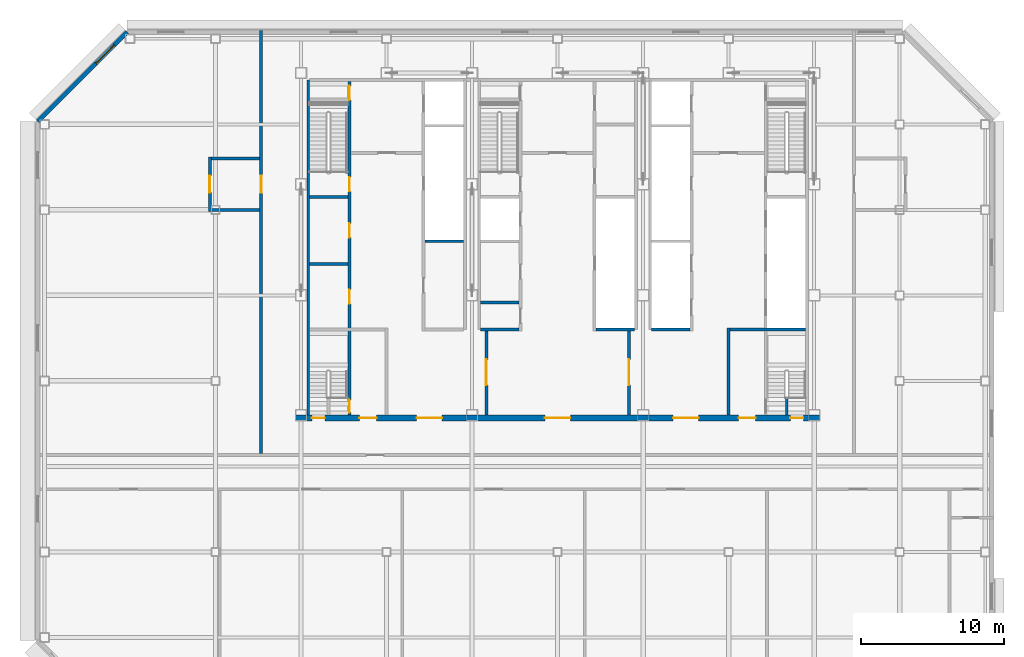
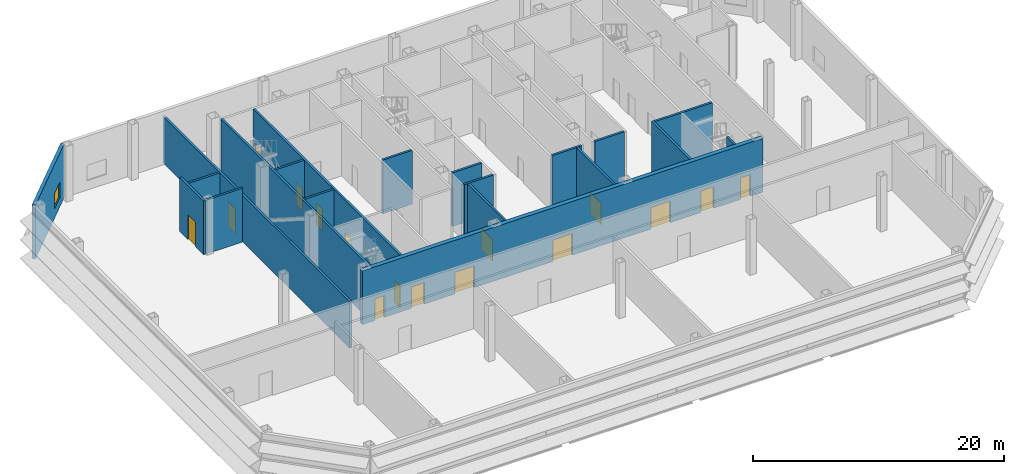
# One storey, part 4 of 11: 20 walls, 16 doors, 1 window, 17 openings.
"""IFC4 building model written with IfcOpenShell, lengths in metres."""

import ifcopenshell
import ifcopenshell.guid

model = None  # the IFC model being written
_history = None  # IfcOwnerHistory: only IFC2X3 demands one
_inside = {}  # id of a spatial element -> (the spatial element, [elements in it])
_under = {}  # id of a project, library or spatial element -> (it, [spatial elements below it])
_declared = {}  # id of a project -> (the project, [libraries it declares])
_typed = {}  # id of a type object -> (the type object, [elements of that type])
_made_of = {}  # id of a material, layer set ... -> (it, [elements and type objects made of it])


def new_model(schema):
    """Start an empty IFC model of exactly this schema.

    Asked for "IFC4X3", IfcOpenShell would pick the latest addendum, in which some entities
    have other attributes; the version numbers below select the first issue.
    IFC2X3 requires an IfcOwnerHistory on every rooted entity: one is made here for all.
    """
    global model, _history
    if schema == "IFC4X3":
        model = ifcopenshell.file(schema_version=(4, 3, 0, 0))
    else:
        model = ifcopenshell.file(schema=schema)
    _inside.clear()
    _under.clear()
    _declared.clear()
    _typed.clear()
    _made_of.clear()
    _history = None
    if model.schema == "IFC2X3":
        org = make("IfcOrganization", Name="unknown")
        user = make(
            "IfcPersonAndOrganization",
            ThePerson=make("IfcPerson", FamilyName="unknown"),
            TheOrganization=org,
        )
        app = make(
            "IfcApplication",
            ApplicationDeveloper=org,
            Version="unknown",
            ApplicationFullName="unknown",
            ApplicationIdentifier="unknown",
        )
        _history = make(
            "IfcOwnerHistory",
            OwningUser=user,
            OwningApplication=app,
            ChangeAction="ADDED",
            CreationDate=0,
        )
    return model


def make(cls, **values):
    """One entity of the class cls with the attributes given. An attribute that is None is left unset."""
    return model.create_entity(
        cls, **{name: value for name, value in values.items() if value is not None}
    )


def rooted(cls, **values):
    """An entity with a GlobalId (a new one), such as an element, a storey or a relation."""
    return make(cls, GlobalId=ifcopenshell.guid.new(), OwnerHistory=_history, **values)


def si_unit(unit_type, name, prefix=None):
    """IfcSIUnit, for example si_unit("LENGTHUNIT", "METRE", prefix="MILLI")."""
    return make("IfcSIUnit", UnitType=unit_type, Prefix=prefix, Name=name)


def assignment(units):
    """IfcUnitAssignment: the units of a project."""
    return None if units is None else make("IfcUnitAssignment", Units=units)


def point(xyz):
    """IfcCartesianPoint."""
    return None if xyz is None else make("IfcCartesianPoint", Coordinates=xyz)


def direction(xyz):
    """IfcDirection."""
    return None if xyz is None else make("IfcDirection", DirectionRatios=xyz)


def frame(location, z_axis=None, x_axis=None):
    """IfcAxis2Placement3D, a coordinate frame: its origin and axes. An axis left out is left unset."""
    return make(
        "IfcAxis2Placement3D",
        Location=point(location),
        Axis=direction(z_axis),
        RefDirection=direction(x_axis),
    )


def frame_2d(location, x_axis=None):
    """IfcAxis2Placement2D, a coordinate frame in the plane: its origin and x axis."""
    return make(
        "IfcAxis2Placement2D", Location=point(location), RefDirection=direction(x_axis)
    )


def origin():
    """The frame at (0, 0, 0) with its axes left unset."""
    return frame((0.0, 0.0, 0.0))


def place(relative_to, where):
    """IfcLocalPlacement: puts the frame where relative to a parent placement (None: the world)."""
    return make(
        "IfcLocalPlacement", PlacementRelTo=relative_to, RelativePlacement=where
    )


def context(
    kind, dimensions, precision=None, world=None, true_north=None, identifier=None
):
    """IfcGeometricRepresentationContext, for example the 3D "Model" context."""
    return make(
        "IfcGeometricRepresentationContext",
        ContextIdentifier=identifier,
        ContextType=kind,
        CoordinateSpaceDimension=dimensions,
        Precision=precision,
        WorldCoordinateSystem=world,
        TrueNorth=true_north,
    )


def subcontext(parent, identifier, kind, view, scale=None):
    """IfcGeometricRepresentationSubContext, for example "Body" below "Model"."""
    return make(
        "IfcGeometricRepresentationSubContext",
        ContextIdentifier=identifier,
        ContextType=kind,
        ParentContext=parent,
        TargetScale=scale,
        TargetView=view,
    )


def project(units=None, contexts=None):
    """IfcProject with its units and contexts."""
    return rooted(
        "IfcProject",
        Name="project",
        RepresentationContexts=contexts,
        UnitsInContext=assignment(units),
    )


def spatial(cls, under=None, at=None, **own):
    """A site, building, storey or space (cls), placed at a placement, below another one or the project."""
    s = rooted(cls, ObjectPlacement=at, **own)
    if under is not None:
        _under.setdefault(under.id(), (under, []))[1].append(s)
    return s


def profile(cls, at=None, kind="AREA", **sizes):
    """A parametric profile (cls). Its sizes go by their IFC names, for example OverallWidth=200.0."""
    return make(cls, ProfileType=kind, Position=at, **sizes)


def rectangle(**sizes):
    """IfcRectangleProfileDef."""
    return profile("IfcRectangleProfileDef", **sizes)


def extrude(swept, where, along, depth):
    """IfcExtrudedAreaSolid: the profile swept, set in the frame where, extruded along a direction by depth."""
    return make(
        "IfcExtrudedAreaSolid",
        SweptArea=swept,
        Position=where,
        ExtrudedDirection=direction(along),
        Depth=depth,
    )


def shape(context_of_items, identifier, shape_type, items):
    """IfcShapeRepresentation: the items that make up one representation, for example the "Body"."""
    return make(
        "IfcShapeRepresentation",
        ContextOfItems=context_of_items,
        RepresentationIdentifier=identifier,
        RepresentationType=shape_type,
        Items=items,
    )


def material(Name=None, Category=None):
    """IfcMaterial."""
    return make("IfcMaterial", Name=Name, Category=Category)


def layer(
    of_material, thickness, ventilated=None, Name=None, Category=None, Priority=None
):
    """IfcMaterialLayer: one layer of a wall or slab, of a material (None: an air gap)."""
    return make(
        "IfcMaterialLayer",
        Material=of_material,
        LayerThickness=thickness,
        IsVentilated=ventilated,
        Name=Name,
        Category=Category,
        Priority=Priority,
    )


def layer_set(layers, Name=None):
    """IfcMaterialLayerSet."""
    return make("IfcMaterialLayerSet", MaterialLayers=layers, LayerSetName=Name)


def made_of(thing, what):
    """Note that an element or type object is made of a material, layer set ...; save() writes the relation."""
    if what is not None:
        _made_of.setdefault(what.id(), (what, []))[1].append(thing)
    return thing


def type_object(cls, material=None, **own):
    """A type object (cls), such as IfcWallType, which elements share."""
    return made_of(rooted(cls, **own), material)


def element(
    cls,
    number,
    at=None,
    inside=None,
    cuts=None,
    type_object=None,
    material=None,
    context=None,
    identifier="Body",
    shape_type=None,
    held_by="IfcProductDefinitionShape",
    body=None,
    shapes=None,
    **own,
):
    """One element of the class cls, such as IfcWall. Its Tag is "e" and its number.

    at: its placement. inside: the storey or other place that contains it. cuts: it is an
    opening in that element (IfcRelVoidsElement). A single representation is given by context,
    identifier, shape_type and body (its items); several are given by shapes. held_by: the class
    of the entity that holds the representations. save() writes the other relations.
    """
    e = rooted(cls, Tag="e%d" % number, ObjectPlacement=at, **own)
    if body is not None:
        shapes = [shape(context, identifier, shape_type, body)]
    if shapes is not None:
        e.Representation = make(held_by, Representations=shapes)
    if inside is not None:
        _inside.setdefault(inside.id(), (inside, []))[1].append(e)
    if cuts is not None:
        rooted(
            "IfcRelVoidsElement", RelatingBuildingElement=cuts, RelatedOpeningElement=e
        )
    if type_object is not None:
        _typed.setdefault(type_object.id(), (type_object, []))[1].append(e)
    return made_of(e, material)


def fill(opening, filler):
    """IfcRelFillsElement: the door or window that sits in an opening."""
    return rooted(
        "IfcRelFillsElement",
        RelatingOpeningElement=opening,
        RelatedBuildingElement=filler,
    )


def aggregate(whole, parts):
    """IfcRelAggregates: a whole, such as a stair, and the parts it consists of."""
    return rooted("IfcRelAggregates", RelatingObject=whole, RelatedObjects=parts)


def save(model, path):
    """Write the relations noted so far, then the file.

    IfcRelAggregates (storeys below a building ...), IfcRelContainedInSpatialStructure (elements
    in a storey), IfcRelDefinesByType, IfcRelAssociatesMaterial and IfcRelDeclares: one each for
    every whole, place, type object, material and project.
    """
    for whole, parts in _under.values():
        aggregate(whole, parts)
    for where, things in _inside.values():
        rooted(
            "IfcRelContainedInSpatialStructure",
            RelatedElements=things,
            RelatingStructure=where,
        )
    for kind, things in _typed.values():
        rooted("IfcRelDefinesByType", RelatedObjects=things, RelatingType=kind)
    for what, things in _made_of.values():
        rooted("IfcRelAssociatesMaterial", RelatedObjects=things, RelatingMaterial=what)
    for by, libraries in _declared.values():
        rooted("IfcRelDeclares", RelatingContext=by, RelatedDefinitions=libraries)
    model.write(path)


model = new_model("IFC4")

# Units and contexts
model_context = context("Model", 3, precision=1e-05, world=origin(), true_north=direction((0.0, 1.0)))
body_context = subcontext(model_context, "Body", "Model", "MODEL_VIEW")
ifc_project = project(units=[si_unit("LENGTHUNIT", "METRE"), si_unit("AREAUNIT", "SQUARE_METRE"), si_unit("VOLUMEUNIT", "CUBIC_METRE"), si_unit("PLANEANGLEUNIT", "RADIAN"), si_unit("MASSUNIT", "GRAM", prefix="KILO")], contexts=[model_context])

# Site, building, storey
site_placement = place(None, origin())
site = spatial("IfcSite", under=ifc_project, at=site_placement, CompositionType="ELEMENT")
building_placement = place(site_placement, origin())
building = spatial("IfcBuilding", under=site, at=building_placement, Name="Sorahane Residences", CompositionType="ELEMENT")
storey_placement = place(building_placement, frame((0.0, 0.0, 234.199951171875)))
storey = spatial("IfcBuildingStorey", under=building, at=storey_placement, Name="L55", CompositionType="ELEMENT", Elevation=234.199951171875)

# Wall
ifc_material_1 = material(Name="Concrete C30", Category="concrete")
ifc_layer_1 = layer(ifc_material_1, 0.199951171875)
ifc_layer_set_1 = layer_set([ifc_layer_1], Name="Core face wall 200 EI 180")
wall_type_1 = type_object("IfcWallType", Name="Core face wall 200 EI 180", PredefinedType="SOLIDWALL", material=ifc_layer_set_1)
wall_1_placement = place(storey_placement, frame((6.5, 21.60009765625, 0.0), z_axis=(0.0, 0.0, 1.0), x_axis=(0.0, 1.0, 0.0)))
element("IfcWall", 1, at=wall_1_placement, inside=storey, type_object=wall_type_1, Name="L55 core face wall", PredefinedType="SOLIDWALL", context=body_context, shape_type="SweptSolid", body=[
    extrude(rectangle(XDim=23.5, YDim=0.199951171875, at=frame_2d((11.75, 0.0))), origin(), (0.0, 0.0, 1.0), 5.219970703125),
])

# Wall, opening, window
ifc_material_2 = material(Name="Graphite insulated metal-clad wall")
ifc_layer_2 = layer(ifc_material_2, 0.300048828125)
ifc_layer_set_2 = layer_set([ifc_layer_2], Name="External wall insulated metal-clad 300")
wall_type_2 = type_object("IfcWallType", Name="External wall insulated metal-clad 300", PredefinedType="SOLIDWALL", material=ifc_layer_set_2)
wall_2_placement = place(storey_placement, frame((-6.194580078125, 48.469970703125, 0.0), z_axis=(0.0, 0.0, 1.0), x_axis=(-0.707106781187, -0.707106781187, 0.0)))
wall_2 = element("IfcWall", 2, at=wall_2_placement, inside=storey, type_object=wall_type_2, Name="External plant wall L55 NW1", PredefinedType="SOLIDWALL", context=body_context, shape_type="SweptSolid", body=[
    extrude(rectangle(XDim=8.874755859375, YDim=0.300048828125, at=frame_2d((4.4375, 0.0))), origin(), (0.0, 0.0, 1.0), 5.219970703125),
])
opening_1_placement = place(wall_2_placement, frame((1.291748046875, 0.0, 0.89990234375)))
opening_1 = element("IfcOpeningElement", 3, at=opening_1_placement, cuts=wall_2, Name="Opening W-R1", PredefinedType="OPENING", context=body_context, shape_type="SweptSolid", body=[
    extrude(rectangle(XDim=1.800048828125, YDim=1.5, at=frame_2d((0.89990234375, 0.75))), frame((0.0, 0.159912109375, 0.0), z_axis=(0.0, -1.0, 0.0), x_axis=(1.0, 0.0, 0.0)), (0.0, 0.0, 1.0), 0.320068359375),
])
ifc_material_3 = material(Name="Dark aluminium and glass", Category="aluminium")
window_type = type_object("IfcWindowType", Name="Openable Class B fire window dark aluminium 1800x1500", PartitioningType="SINGLE_PANEL", PredefinedType="WINDOW", material=ifc_material_3)
window_placement = place(opening_1_placement, origin())
window = element("IfcWindow", 4, at=window_placement, inside=storey, type_object=window_type, Name="Openable fire window L55 NW1.1", OverallHeight=1.5, OverallWidth=1.800048828125, PartitioningType="SINGLE_PANEL", PredefinedType="WINDOW", context=body_context, shape_type="SweptSolid", body=[
    extrude(rectangle(XDim=1.800048828125, YDim=1.5, at=frame_2d((0.89990234375, 0.75))), frame((0.0, 0.030029296875, 0.0), z_axis=(0.0, -1.0, 0.0), x_axis=(1.0, 0.0, 0.0)), (0.0, 0.0, 1.0), 0.06005859375),
])
fill(opening_1, window)

# Wall, opening, door
ifc_material_4 = material(Name="Concrete blockwork C20 wall", Category="masonry")
ifc_layer_3 = layer(ifc_material_4, 0.199951171875)
ifc_layer_set_3 = layer_set([ifc_layer_3], Name="Fire wall 200 EI 120")
wall_type_3 = type_object("IfcWallType", Name="Fire wall 200 EI 120", PredefinedType="SOLIDWALL", material=ifc_layer_set_3)
wall_3_placement = place(storey_placement, frame((-0.39990234375, 35.89990234375, 0.0), z_axis=(0.0, 0.0, 1.0), x_axis=(0.0, 1.0, 0.0)))
wall_3 = element("IfcWall", 5, at=wall_3_placement, inside=storey, type_object=wall_type_3, Name="L55 fire wall", PredefinedType="SOLIDWALL", context=body_context, shape_type="SweptSolid", body=[
    extrude(rectangle(XDim=3.800048828125, YDim=0.199951171875, at=frame_2d((1.89990234375, 0.0))), origin(), (0.0, 0.0, 1.0), 5.219970703125),
])
opening_2_placement = place(wall_3_placement, frame((1.300048828125, 0.0, 0.0)))
opening_2 = element("IfcOpeningElement", 6, at=opening_2_placement, cuts=wall_3, Name="Opening L55-11", PredefinedType="OPENING", context=body_context, shape_type="SweptSolid", body=[
    extrude(rectangle(XDim=1.199951171875, YDim=2.39990234375, at=frame_2d((0.60009765625, 1.199951171875))), frame((0.0, 0.10986328125, 0.0), z_axis=(0.0, -1.0, 0.0), x_axis=(1.0, 0.0, 0.0)), (0.0, 0.0, 1.0), 0.219970703125),
])
ifc_material_5 = material(Name="Steel", Category="steel")
door_type_1 = type_object("IfcDoorType", Name="Lobby door 1200x2400 FD60", OperationType="NOTDEFINED", PredefinedType="DOOR", material=ifc_material_5)
door_1_placement = place(opening_2_placement, frame((1.199951171875, 0.0, 0.0), z_axis=(0.0, 0.0, 1.0), x_axis=(-1.0, 0.0, 0.0)))
door_1 = element("IfcDoor", 7, at=door_1_placement, inside=storey, type_object=door_type_1, Name="Lobby door L55-11", OperationType="SINGLE_SWING_RIGHT", OverallHeight=2.39990234375, OverallWidth=1.199951171875, PredefinedType="DOOR", context=body_context, shape_type="SweptSolid", body=[
    extrude(rectangle(XDim=1.199951171875, YDim=2.39990234375, at=frame_2d((0.60009765625, 1.199951171875))), frame((0.0, 0.02490234375, 0.0), z_axis=(0.0, -1.0, 0.0), x_axis=(1.0, 0.0, 0.0)), (0.0, 0.0, 1.0), 0.050048828125),
])
fill(opening_2, door_1)

wall_4_placement = place(storey_placement, frame((3.199951171875, 18.89990234375, 0.0), z_axis=(0.0, 0.0, 1.0), x_axis=(0.0, 1.0, 0.0)))
wall_4 = element("IfcWall", 8, at=wall_4_placement, inside=storey, type_object=wall_type_3, Name="L55 fire wall", PredefinedType="SOLIDWALL", context=body_context, shape_type="SweptSolid", body=[
    extrude(rectangle(XDim=29.7001953125, YDim=0.199951171875, at=frame_2d((14.85009765625, 0.0))), origin(), (0.0, 0.0, 1.0), 4.52001953125),
])
opening_3_placement = place(wall_4_placement, frame((18.300048828125, 0.0, 0.0)))
opening_3 = element("IfcOpeningElement", 9, at=opening_3_placement, cuts=wall_4, Name="Opening L55-12", PredefinedType="OPENING", context=body_context, shape_type="SweptSolid", body=[
    extrude(rectangle(XDim=1.199951171875, YDim=2.39990234375, at=frame_2d((0.60009765625, 1.199951171875))), frame((0.0, 0.10986328125, 0.0), z_axis=(0.0, -1.0, 0.0), x_axis=(1.0, 0.0, 0.0)), (0.0, 0.0, 1.0), 0.219970703125),
])
door_2_placement = place(opening_3_placement, frame((1.199951171875, 0.0, 0.0), z_axis=(0.0, 0.0, 1.0), x_axis=(-1.0, 0.0, 0.0)))
door_2 = element("IfcDoor", 10, at=door_2_placement, inside=storey, type_object=door_type_1, Name="Lobby door L55-12", OperationType="SINGLE_SWING_LEFT", OverallHeight=2.39990234375, OverallWidth=1.199951171875, PredefinedType="DOOR", context=body_context, shape_type="SweptSolid", body=[
    extrude(rectangle(XDim=1.199951171875, YDim=2.39990234375, at=frame_2d((0.60009765625, 1.199951171875))), frame((0.0, 0.02490234375, 0.0), z_axis=(0.0, -1.0, 0.0), x_axis=(1.0, 0.0, 0.0)), (0.0, 0.0, 1.0), 0.050048828125),
])
fill(opening_3, door_2)

# Walls
wall_5_placement = place(storey_placement, frame((-0.300048828125, 36.0, 0.0), z_axis=(0.0, 0.0, 1.0), x_axis=(1.0, 0.0, 0.0)))
element("IfcWall", 11, at=wall_5_placement, inside=storey, type_object=wall_type_3, Name="L55 fire wall", PredefinedType="SOLIDWALL", context=body_context, shape_type="SweptSolid", body=[
    extrude(rectangle(XDim=3.400146484375, YDim=0.199951171875, at=frame_2d((1.7001953125, 0.0))), origin(), (0.0, 0.0, 1.0), 5.219970703125),
])
wall_6_placement = place(storey_placement, frame((-0.300048828125, 39.60009765625, 0.0), z_axis=(0.0, 0.0, 1.0), x_axis=(1.0, 0.0, 0.0)))
element("IfcWall", 12, at=wall_6_placement, inside=storey, type_object=wall_type_3, Name="L55 fire wall", PredefinedType="SOLIDWALL", context=body_context, shape_type="SweptSolid", body=[
    extrude(rectangle(XDim=3.400146484375, YDim=0.199951171875, at=frame_2d((1.7001953125, 0.0))), origin(), (0.0, 0.0, 1.0), 4.52001953125),
])
ifc_material_6 = material(Name="Concrete C30", Category="concrete")
ifc_layer_4 = layer(ifc_material_6, 0.199951171875)
ifc_layer_set_4 = layer_set([ifc_layer_4], Name="Front room wall 200 EI 120")
wall_type_4 = type_object("IfcWallType", Name="Front room wall 200 EI 120", PredefinedType="PARTITIONING", material=ifc_layer_set_4)
wall_7_placement = place(storey_placement, frame((36.0, 21.60009765625, 0.0), z_axis=(0.0, 0.0, 1.0), x_axis=(0.0, 1.0, 0.0)))
element("IfcWall", 13, at=wall_7_placement, inside=storey, type_object=wall_type_4, Name="L55 front room wall", PredefinedType="PARTITIONING", context=body_context, shape_type="SweptSolid", body=[
    extrude(rectangle(XDim=6.099853515625, YDim=0.199951171875, at=frame_2d((3.0498046875, 0.0))), origin(), (0.0, 0.0, 1.0), 5.219970703125),
])
ifc_material_7 = material(Name="Concrete C30", Category="concrete")
ifc_layer_5 = layer(ifc_material_7, 0.199951171875)
ifc_layer_set_5 = layer_set([ifc_layer_5], Name="Lift shaft wall 200 EI 120")
wall_type_5 = type_object("IfcWallType", Name="Lift shaft wall 200 EI 120", PredefinedType="SOLIDWALL", material=ifc_layer_set_5)
wall_8_placement = place(storey_placement, frame((30.60009765625, 27.60009765625, 0.0), z_axis=(0.0, 0.0, 1.0), x_axis=(1.0, 0.0, 0.0)))
element("IfcWall", 14, at=wall_8_placement, inside=storey, type_object=wall_type_5, Name="L55 lift shaft wall", PredefinedType="SOLIDWALL", context=body_context, shape_type="SweptSolid", body=[
    extrude(rectangle(XDim=2.699951171875, YDim=0.199951171875, at=frame_2d((1.35009765625, 0.0))), origin(), (0.0, 0.0, 1.0), 5.219970703125),
])
ifc_material_8 = material(Name="Concrete C30", Category="concrete")
ifc_layer_6 = layer(ifc_material_8, 0.199951171875)
ifc_layer_set_6 = layer_set([ifc_layer_6], Name="Riser shaft wall 200 EI 120")
wall_type_6 = type_object("IfcWallType", Name="Riser shaft wall 200 EI 120", PredefinedType="SOLIDWALL", material=ifc_layer_set_6)
for number, where, z_axis, x_axis, name in (
    (15, (26.699951171875, 27.60009765625, 0.0), (0.0, 0.0, 1.0), (1.0, 0.0, 0.0), "L55 riser wall"),
    (16, (14.699951171875, 33.800048828125, 0.0), (0.0, 0.0, 1.0), (1.0, 0.0, 0.0), "L55 riser wall"),
):
    element("IfcWall", number, at=place(storey_placement, frame(where, z_axis=z_axis, x_axis=x_axis)), inside=storey, type_object=wall_type_6, Name=name, PredefinedType="SOLIDWALL", context=body_context, shape_type="SweptSolid", body=[
        extrude(rectangle(XDim=2.699951171875, YDim=0.199951171875, at=frame_2d((1.35009765625, 0.0))), origin(), (0.0, 0.0, 1.0), 5.219970703125),
    ])

# Wall, opening, door
ifc_material_9 = material(Name="Concrete C30", Category="concrete")
ifc_layer_7 = layer(ifc_material_9, 0.199951171875)
ifc_layer_set_7 = layer_set([ifc_layer_7], Name="Service room partition 200 EI 60")
wall_type_7 = type_object("IfcWallType", Name="Service room partition 200 EI 60", PredefinedType="PARTITIONING", material=ifc_layer_set_7)
wall_9_placement = place(storey_placement, frame((19.0, 21.60009765625, 0.0), z_axis=(0.0, 0.0, 1.0), x_axis=(0.0, 1.0, 0.0)))
wall_9 = element("IfcWall", 17, at=wall_9_placement, inside=storey, type_object=wall_type_7, Name="L55 service room wall", PredefinedType="PARTITIONING", context=body_context, shape_type="SweptSolid", body=[
    extrude(rectangle(XDim=6.0, YDim=0.199951171875, at=frame_2d((3.0, 0.0))), origin(), (0.0, 0.0, 1.0), 5.219970703125),
])
opening_4_placement = place(wall_9_placement, frame((2.10009765625, 0.0, 0.0)))
opening_4 = element("IfcOpeningElement", 18, at=opening_4_placement, cuts=wall_9, Name="Opening L55-C02", PredefinedType="OPENING", context=body_context, shape_type="SweptSolid", body=[
    extrude(rectangle(XDim=1.800048828125, YDim=2.10009765625, at=frame_2d((0.89990234375, 1.050048828125))), frame((0.0, 0.10986328125, 0.0), z_axis=(0.0, -1.0, 0.0), x_axis=(1.0, 0.0, 0.0)), (0.0, 0.0, 1.0), 0.219970703125),
])
ifc_material_10 = material(Name="Steel", Category="steel")
door_type_2 = type_object("IfcDoorType", Name="Waiting hall door 1800x2100 FD60", OperationType="NOTDEFINED", PredefinedType="DOOR", material=ifc_material_10)
door_3_placement = place(opening_4_placement, origin())
door_3 = element("IfcDoor", 19, at=door_3_placement, inside=storey, type_object=door_type_2, Name="Waiting hall door Residents' waiting hall west L55", OperationType="SINGLE_SWING_LEFT", OverallHeight=2.10009765625, OverallWidth=1.800048828125, PredefinedType="DOOR", context=body_context, shape_type="SweptSolid", body=[
    extrude(rectangle(XDim=1.800048828125, YDim=2.10009765625, at=frame_2d((0.89990234375, 1.050048828125))), frame((0.0, 0.02490234375, 0.0), z_axis=(0.0, -1.0, 0.0), x_axis=(1.0, 0.0, 0.0)), (0.0, 0.0, 1.0), 0.050048828125),
])
fill(opening_4, door_3)

wall_10_placement = place(storey_placement, frame((29.0, 21.60009765625, 0.0), z_axis=(0.0, 0.0, 1.0), x_axis=(0.0, 1.0, 0.0)))
wall_10 = element("IfcWall", 20, at=wall_10_placement, inside=storey, type_object=wall_type_7, Name="L55 service room wall", PredefinedType="PARTITIONING", context=body_context, shape_type="SweptSolid", body=[
    extrude(rectangle(XDim=6.0, YDim=0.199951171875, at=frame_2d((3.0, 0.0))), origin(), (0.0, 0.0, 1.0), 5.219970703125),
])
opening_5_placement = place(wall_10_placement, frame((2.10009765625, 0.0, 0.0)))
opening_5 = element("IfcOpeningElement", 21, at=opening_5_placement, cuts=wall_10, Name="Opening L55-C04", PredefinedType="OPENING", context=body_context, shape_type="SweptSolid", body=[
    extrude(rectangle(XDim=1.800048828125, YDim=2.10009765625, at=frame_2d((0.89990234375, 1.050048828125))), frame((0.0, 0.10986328125, 0.0), z_axis=(0.0, -1.0, 0.0), x_axis=(1.0, 0.0, 0.0)), (0.0, 0.0, 1.0), 0.219970703125),
])
door_4_placement = place(opening_5_placement, origin())
door_4 = element("IfcDoor", 22, at=door_4_placement, inside=storey, type_object=door_type_2, Name="Waiting hall door Residents' waiting hall centre L55", OperationType="SINGLE_SWING_LEFT", OverallHeight=2.10009765625, OverallWidth=1.800048828125, PredefinedType="DOOR", context=body_context, shape_type="SweptSolid", body=[
    extrude(rectangle(XDim=1.800048828125, YDim=2.10009765625, at=frame_2d((0.89990234375, 1.050048828125))), frame((0.0, 0.02490234375, 0.0), z_axis=(0.0, -1.0, 0.0), x_axis=(1.0, 0.0, 0.0)), (0.0, 0.0, 1.0), 0.050048828125),
])
fill(opening_5, door_4)

# Walls
for number, where, z_axis, x_axis, name in (
    (23, (18.60009765625, 27.60009765625, 0.0), (0.0, 0.0, 1.0), (1.0, 0.0, 0.0), "L55 service room wall"),
    (24, (18.60009765625, 29.5, 0.0), (0.0, 0.0, 1.0), (1.0, 0.0, 0.0), "L55 service room wall"),
    (25, (6.60009765625, 32.199951171875, 0.0), (0.0, 0.0, 1.0), (1.0, 0.0, 0.0), "L55 service room wall"),
):
    element("IfcWall", number, at=place(storey_placement, frame(where, z_axis=z_axis, x_axis=x_axis)), inside=storey, type_object=wall_type_7, Name=name, PredefinedType="PARTITIONING", context=body_context, shape_type="SweptSolid", body=[
        extrude(rectangle(XDim=2.699951171875, YDim=0.199951171875, at=frame_2d((1.35009765625, 0.0))), origin(), (0.0, 0.0, 1.0), 5.219970703125),
    ])
ifc_material_11 = material(Name="Concrete C30", Category="concrete")
ifc_layer_8 = layer(ifc_material_11, 0.199951171875)
ifc_layer_set_8 = layer_set([ifc_layer_8], Name="Stair enclosure wall 200 EI 120")
wall_type_8 = type_object("IfcWallType", Name="Stair enclosure wall 200 EI 120", PredefinedType="SOLIDWALL", material=ifc_layer_set_8)
wall_11_placement = place(storey_placement, frame((40.074951171875, 21.60009765625, 0.0), z_axis=(0.0, 0.0, 1.0), x_axis=(0.0, 1.0, 0.0)))
element("IfcWall", 26, at=wall_11_placement, inside=storey, type_object=wall_type_8, Name="L55 stair enclosure wall", PredefinedType="SOLIDWALL", context=body_context, shape_type="SweptSolid", body=[
    extrude(rectangle(XDim=1.25, YDim=0.199951171875, at=frame_2d((0.625, 0.0))), origin(), (0.0, 0.0, 1.0), 5.219970703125),
])

# Wall, openings, doors
wall_12_placement = place(storey_placement, frame((9.39990234375, 21.60009765625, 0.0), z_axis=(0.0, 0.0, 1.0), x_axis=(0.0, 1.0, 0.0)))
wall_12 = element("IfcWall", 27, at=wall_12_placement, inside=storey, type_object=wall_type_8, Name="L55 stair enclosure wall", PredefinedType="SOLIDWALL", context=body_context, shape_type="SweptSolid", body=[
    extrude(rectangle(XDim=23.39990234375, YDim=0.199951171875, at=frame_2d((11.699951171875, 0.0))), origin(), (0.0, 0.0, 1.0), 5.219970703125),
])
opening_6_placement = place(wall_12_placement, frame((7.800048828125, 0.0, 0.0)))
opening_6 = element("IfcOpeningElement", 28, at=opening_6_placement, cuts=wall_12, Name="Opening L55-C21", PredefinedType="OPENING", context=body_context, shape_type="SweptSolid", body=[
    extrude(rectangle(XDim=1.0, YDim=2.10009765625, at=frame_2d((0.5, 1.050048828125))), frame((0.0, 0.10986328125, 0.0), z_axis=(0.0, -1.0, 0.0), x_axis=(1.0, 0.0, 0.0)), (0.0, 0.0, 1.0), 0.219970703125),
])
opening_7_placement = place(wall_12_placement, frame((12.449951171875, 0.0, 0.0)))
opening_7 = element("IfcOpeningElement", 29, at=opening_7_placement, cuts=wall_12, Name="Opening L55-C22", PredefinedType="OPENING", context=body_context, shape_type="SweptSolid", body=[
    extrude(rectangle(XDim=1.0, YDim=2.10009765625, at=frame_2d((0.5, 1.050048828125))), frame((0.0, 0.10986328125, 0.0), z_axis=(0.0, -1.0, 0.0), x_axis=(1.0, 0.0, 0.0)), (0.0, 0.0, 1.0), 0.219970703125),
])
opening_8_placement = place(wall_12_placement, frame((22.10009765625, 0.0, 0.0)))
opening_8 = element("IfcOpeningElement", 30, at=opening_8_placement, cuts=wall_12, Name="Opening L55-C23", PredefinedType="OPENING", context=body_context, shape_type="SweptSolid", body=[
    extrude(rectangle(XDim=1.0, YDim=2.10009765625, at=frame_2d((0.5, 1.050048828125))), frame((0.0, 0.10986328125, 0.0), z_axis=(0.0, -1.0, 0.0), x_axis=(1.0, 0.0, 0.0)), (0.0, 0.0, 1.0), 0.219970703125),
])
opening_9_placement = place(wall_12_placement, frame((15.699951171875, 0.0, 0.0)))
opening_9 = element("IfcOpeningElement", 31, at=opening_9_placement, cuts=wall_12, Name="Opening L55-C24", PredefinedType="OPENING", context=body_context, shape_type="SweptSolid", body=[
    extrude(rectangle(XDim=1.0, YDim=2.10009765625, at=frame_2d((0.5, 1.050048828125))), frame((0.0, 0.10986328125, 0.0), z_axis=(0.0, -1.0, 0.0), x_axis=(1.0, 0.0, 0.0)), (0.0, 0.0, 1.0), 0.219970703125),
])
opening_10_placement = place(wall_12_placement, frame((0.175048828125, 0.0, 0.0)))
opening_10 = element("IfcOpeningElement", 32, at=opening_10_placement, cuts=wall_12, Name="Opening L55-C30", PredefinedType="OPENING", context=body_context, shape_type="SweptSolid", body=[
    extrude(rectangle(XDim=0.89990234375, YDim=2.10009765625, at=frame_2d((0.449951171875, 1.050048828125))), frame((0.0, 0.10986328125, 0.0), z_axis=(0.0, -1.0, 0.0), x_axis=(1.0, 0.0, 0.0)), (0.0, 0.0, 1.0), 0.219970703125),
])
ifc_material_12 = material(Name="Steel", Category="steel")
door_type_3 = type_object("IfcDoorType", Name="Refuge stair door 1000x2100 FD120", OperationType="NOTDEFINED", PredefinedType="DOOR", material=ifc_material_12)
door_5_placement = place(opening_8_placement, origin())
door_5 = element("IfcDoor", 33, at=door_5_placement, inside=storey, type_object=door_type_3, Name="Refuge stair door S1 L55", OperationType="SINGLE_SWING_LEFT", OverallHeight=2.10009765625, OverallWidth=1.0, PredefinedType="DOOR", context=body_context, shape_type="SweptSolid", body=[
    extrude(rectangle(XDim=1.0, YDim=2.10009765625, at=frame_2d((0.5, 1.050048828125))), frame((0.0, 0.02490234375, 0.0), z_axis=(0.0, -1.0, 0.0), x_axis=(1.0, 0.0, 0.0)), (0.0, 0.0, 1.0), 0.050048828125),
])
fill(opening_8, door_5)
door_6_placement = place(opening_9_placement, origin())
door_6 = element("IfcDoor", 34, at=door_6_placement, inside=storey, type_object=door_type_3, Name="Refuge stair door S1 L55", OperationType="SINGLE_SWING_LEFT", OverallHeight=2.10009765625, OverallWidth=1.0, PredefinedType="DOOR", context=body_context, shape_type="SweptSolid", body=[
    extrude(rectangle(XDim=1.0, YDim=2.10009765625, at=frame_2d((0.5, 1.050048828125))), frame((0.0, 0.02490234375, 0.0), z_axis=(0.0, -1.0, 0.0), x_axis=(1.0, 0.0, 0.0)), (0.0, 0.0, 1.0), 0.050048828125),
])
fill(opening_9, door_6)
ifc_material_13 = material(Name="Steel", Category="steel")
door_type_4 = type_object("IfcDoorType", Name="Refuge stair door 900x2100 FD120", OperationType="NOTDEFINED", PredefinedType="DOOR", material=ifc_material_13)
door_7_placement = place(opening_10_placement, origin())
door_7 = element("IfcDoor", 35, at=door_7_placement, inside=storey, type_object=door_type_4, Name="Refuge stair door S4 L55", OperationType="SINGLE_SWING_LEFT", OverallHeight=2.10009765625, OverallWidth=0.89990234375, PredefinedType="DOOR", context=body_context, shape_type="SweptSolid", body=[
    extrude(rectangle(XDim=0.89990234375, YDim=2.10009765625, at=frame_2d((0.449951171875, 1.050048828125))), frame((0.0, 0.02490234375, 0.0), z_axis=(0.0, -1.0, 0.0), x_axis=(1.0, 0.0, 0.0)), (0.0, 0.0, 1.0), 0.050048828125),
])
fill(opening_10, door_7)
ifc_material_14 = material(Name="Steel", Category="steel")
door_type_5 = type_object("IfcDoorType", Name="Service room door 1000x2100 FD60", OperationType="NOTDEFINED", PredefinedType="DOOR", material=ifc_material_14)
door_8_placement = place(opening_6_placement, origin())
door_8 = element("IfcDoor", 36, at=door_8_placement, inside=storey, type_object=door_type_5, Name="Service room door Flower room L55", OperationType="SINGLE_SWING_RIGHT", OverallHeight=2.10009765625, OverallWidth=1.0, PredefinedType="DOOR", context=body_context, shape_type="SweptSolid", body=[
    extrude(rectangle(XDim=1.0, YDim=2.10009765625, at=frame_2d((0.5, 1.050048828125))), frame((0.0, 0.02490234375, 0.0), z_axis=(0.0, -1.0, 0.0), x_axis=(1.0, 0.0, 0.0)), (0.0, 0.0, 1.0), 0.050048828125),
])
fill(opening_6, door_8)
door_9_placement = place(opening_7_placement, origin())
door_9 = element("IfcDoor", 37, at=door_9_placement, inside=storey, type_object=door_type_5, Name="Service room door Flower room L55", OperationType="SINGLE_SWING_LEFT", OverallHeight=2.10009765625, OverallWidth=1.0, PredefinedType="DOOR", context=body_context, shape_type="SweptSolid", body=[
    extrude(rectangle(XDim=1.0, YDim=2.10009765625, at=frame_2d((0.5, 1.050048828125))), frame((0.0, 0.02490234375, 0.0), z_axis=(0.0, -1.0, 0.0), x_axis=(1.0, 0.0, 0.0)), (0.0, 0.0, 1.0), 0.050048828125),
])
fill(opening_7, door_9)

# Walls
wall_13_placement = place(storey_placement, frame((36.10009765625, 27.60009765625, 0.0), z_axis=(0.0, 0.0, 1.0), x_axis=(1.0, 0.0, 0.0)))
element("IfcWall", 38, at=wall_13_placement, inside=storey, type_object=wall_type_8, Name="L55 stair enclosure wall", PredefinedType="SOLIDWALL", context=body_context, shape_type="SweptSolid", body=[
    extrude(rectangle(XDim=5.2998046875, YDim=0.199951171875, at=frame_2d((2.64990234375, 0.0))), origin(), (0.0, 0.0, 1.0), 5.219970703125),
])
wall_14_placement = place(storey_placement, frame((6.60009765625, 36.89990234375, 0.0), z_axis=(0.0, 0.0, 1.0), x_axis=(1.0, 0.0, 0.0)))
element("IfcWall", 39, at=wall_14_placement, inside=storey, type_object=wall_type_8, Name="L55 stair enclosure wall", PredefinedType="SOLIDWALL", context=body_context, shape_type="SweptSolid", body=[
    extrude(rectangle(XDim=2.699951171875, YDim=0.199951171875, at=frame_2d((1.35009765625, 0.0))), origin(), (0.0, 0.0, 1.0), 5.219970703125),
])

# Wall, openings, doors
ifc_material_15 = material(Name="Concrete C30", Category="concrete")
ifc_layer_9 = layer(ifc_material_15, 0.39990234375)
ifc_layer_set_9 = layer_set([ifc_layer_9], Name="Waiting hall wall 400 EI 120")
wall_type_9 = type_object("IfcWallType", Name="Waiting hall wall 400 EI 120", PredefinedType="SOLIDWALL", material=ifc_layer_set_9)
wall_15_placement = place(storey_placement, frame((5.60009765625, 21.39990234375, 0.0), z_axis=(0.0, 0.0, 1.0), x_axis=(1.0, 0.0, 0.0)))
wall_15 = element("IfcWall", 40, at=wall_15_placement, inside=storey, type_object=wall_type_9, Name="L55 waiting hall wall", PredefinedType="SOLIDWALL", context=body_context, shape_type="SweptSolid", body=[
    extrude(rectangle(XDim=36.7998046875, YDim=0.39990234375, at=frame_2d((18.39990234375, 0.0))), origin(), (0.0, 0.0, 1.0), 5.219970703125),
])
opening_11_placement = place(wall_15_placement, frame((8.5, 0.0, 0.0)))
opening_11 = element("IfcOpeningElement", 41, at=opening_11_placement, cuts=wall_15, Name="Opening L55-C01", PredefinedType="OPENING", context=body_context, shape_type="SweptSolid", body=[
    extrude(rectangle(XDim=1.800048828125, YDim=2.10009765625, at=frame_2d((0.89990234375, 1.050048828125))), frame((0.0, 0.2099609375, 0.0), z_axis=(0.0, -1.0, 0.0), x_axis=(1.0, 0.0, 0.0)), (0.0, 0.0, 1.0), 0.419921875),
])
opening_12_placement = place(wall_15_placement, frame((17.5, 0.0, 0.0)))
opening_12 = element("IfcOpeningElement", 42, at=opening_12_placement, cuts=wall_15, Name="Opening L55-C03", PredefinedType="OPENING", context=body_context, shape_type="SweptSolid", body=[
    extrude(rectangle(XDim=1.800048828125, YDim=2.10009765625, at=frame_2d((0.89990234375, 1.050048828125))), frame((0.0, 0.2099609375, 0.0), z_axis=(0.0, -1.0, 0.0), x_axis=(1.0, 0.0, 0.0)), (0.0, 0.0, 1.0), 0.419921875),
])
opening_13_placement = place(wall_15_placement, frame((26.5, 0.0, 0.0)))
opening_13 = element("IfcOpeningElement", 43, at=opening_13_placement, cuts=wall_15, Name="Opening L55-C05", PredefinedType="OPENING", context=body_context, shape_type="SweptSolid", body=[
    extrude(rectangle(XDim=1.800048828125, YDim=2.10009765625, at=frame_2d((0.89990234375, 1.050048828125))), frame((0.0, 0.2099609375, 0.0), z_axis=(0.0, -1.0, 0.0), x_axis=(1.0, 0.0, 0.0)), (0.0, 0.0, 1.0), 0.419921875),
])
opening_14_placement = place(wall_15_placement, frame((4.5, 0.0, 0.0)))
opening_14 = element("IfcOpeningElement", 44, at=opening_14_placement, cuts=wall_15, Name="Opening L55-C06", PredefinedType="OPENING", context=body_context, shape_type="SweptSolid", body=[
    extrude(rectangle(XDim=1.199951171875, YDim=2.10009765625, at=frame_2d((0.60009765625, 1.050048828125))), frame((0.0, 0.2099609375, 0.0), z_axis=(0.0, -1.0, 0.0), x_axis=(1.0, 0.0, 0.0)), (0.0, 0.0, 1.0), 0.419921875),
])
opening_15_placement = place(wall_15_placement, frame((31.10009765625, 0.0, 0.0)))
opening_15 = element("IfcOpeningElement", 45, at=opening_15_placement, cuts=wall_15, Name="Opening L55-C07", PredefinedType="OPENING", context=body_context, shape_type="SweptSolid", body=[
    extrude(rectangle(XDim=1.199951171875, YDim=2.10009765625, at=frame_2d((0.60009765625, 1.050048828125))), frame((0.0, 0.2099609375, 0.0), z_axis=(0.0, -1.0, 0.0), x_axis=(1.0, 0.0, 0.0)), (0.0, 0.0, 1.0), 0.419921875),
])
opening_16_placement = place(wall_15_placement, frame((1.16259765625, 0.0, 0.0)))
opening_16 = element("IfcOpeningElement", 46, at=opening_16_placement, cuts=wall_15, Name="Opening L55-C29", PredefinedType="OPENING", context=body_context, shape_type="SweptSolid", body=[
    extrude(rectangle(XDim=0.89990234375, YDim=2.10009765625, at=frame_2d((0.449951171875, 1.050048828125))), frame((0.0, 0.2099609375, 0.0), z_axis=(0.0, -1.0, 0.0), x_axis=(1.0, 0.0, 0.0)), (0.0, 0.0, 1.0), 0.419921875),
])
opening_17_placement = place(wall_15_placement, frame((34.737548828125, 0.0, 0.0)))
opening_17 = element("IfcOpeningElement", 47, at=opening_17_placement, cuts=wall_15, Name="Opening L55-C32", PredefinedType="OPENING", context=body_context, shape_type="SweptSolid", body=[
    extrude(rectangle(XDim=0.89990234375, YDim=2.10009765625, at=frame_2d((0.449951171875, 1.050048828125))), frame((0.0, 0.2099609375, 0.0), z_axis=(0.0, -1.0, 0.0), x_axis=(1.0, 0.0, 0.0)), (0.0, 0.0, 1.0), 0.419921875),
])
door_10_placement = place(opening_16_placement, origin())
door_10 = element("IfcDoor", 48, at=door_10_placement, inside=storey, type_object=door_type_4, Name="Refuge stair door S4 L55", OperationType="SINGLE_SWING_LEFT", OverallHeight=2.10009765625, OverallWidth=0.89990234375, PredefinedType="DOOR", context=body_context, shape_type="SweptSolid", body=[
    extrude(rectangle(XDim=0.89990234375, YDim=2.10009765625, at=frame_2d((0.449951171875, 1.050048828125))), frame((0.0, 0.02490234375, 0.0), z_axis=(0.0, -1.0, 0.0), x_axis=(1.0, 0.0, 0.0)), (0.0, 0.0, 1.0), 0.050048828125),
])
fill(opening_16, door_10)
door_11_placement = place(opening_17_placement, origin())
door_11 = element("IfcDoor", 49, at=door_11_placement, inside=storey, type_object=door_type_4, Name="Refuge stair door S5 L55", OperationType="SINGLE_SWING_LEFT", OverallHeight=2.10009765625, OverallWidth=0.89990234375, PredefinedType="DOOR", context=body_context, shape_type="SweptSolid", body=[
    extrude(rectangle(XDim=0.89990234375, YDim=2.10009765625, at=frame_2d((0.449951171875, 1.050048828125))), frame((0.0, 0.02490234375, 0.0), z_axis=(0.0, -1.0, 0.0), x_axis=(1.0, 0.0, 0.0)), (0.0, 0.0, 1.0), 0.050048828125),
])
fill(opening_17, door_11)
ifc_material_16 = material(Name="Steel", Category="steel")
door_type_6 = type_object("IfcDoorType", Name="Stair front room door 1200x2100 FD120", OperationType="NOTDEFINED", PredefinedType="DOOR", material=ifc_material_16)
door_12_placement = place(opening_14_placement, frame((1.199951171875, 0.0, 0.0), z_axis=(0.0, 0.0, 1.0), x_axis=(-1.0, 0.0, 0.0)))
door_12 = element("IfcDoor", 50, at=door_12_placement, inside=storey, type_object=door_type_6, Name="Stair front room door Stair S4 front room L55", OperationType="SINGLE_SWING_LEFT", OverallHeight=2.10009765625, OverallWidth=1.199951171875, PredefinedType="DOOR", context=body_context, shape_type="SweptSolid", body=[
    extrude(rectangle(XDim=1.199951171875, YDim=2.10009765625, at=frame_2d((0.60009765625, 1.050048828125))), frame((0.0, 0.02490234375, 0.0), z_axis=(0.0, -1.0, 0.0), x_axis=(1.0, 0.0, 0.0)), (0.0, 0.0, 1.0), 0.050048828125),
])
fill(opening_14, door_12)
door_13_placement = place(opening_15_placement, frame((1.199951171875, 0.0, 0.0), z_axis=(0.0, 0.0, 1.0), x_axis=(-1.0, 0.0, 0.0)))
door_13 = element("IfcDoor", 51, at=door_13_placement, inside=storey, type_object=door_type_6, Name="Stair front room door Stair S5 front room L55", OperationType="SINGLE_SWING_LEFT", OverallHeight=2.10009765625, OverallWidth=1.199951171875, PredefinedType="DOOR", context=body_context, shape_type="SweptSolid", body=[
    extrude(rectangle(XDim=1.199951171875, YDim=2.10009765625, at=frame_2d((0.60009765625, 1.050048828125))), frame((0.0, 0.02490234375, 0.0), z_axis=(0.0, -1.0, 0.0), x_axis=(1.0, 0.0, 0.0)), (0.0, 0.0, 1.0), 0.050048828125),
])
fill(opening_15, door_13)
door_14_placement = place(opening_11_placement, frame((1.800048828125, 0.0, 0.0), z_axis=(0.0, 0.0, 1.0), x_axis=(-1.0, 0.0, 0.0)))
door_14 = element("IfcDoor", 52, at=door_14_placement, inside=storey, type_object=door_type_2, Name="Waiting hall door Residents' waiting hall west L55", OperationType="SINGLE_SWING_LEFT", OverallHeight=2.10009765625, OverallWidth=1.800048828125, PredefinedType="DOOR", context=body_context, shape_type="SweptSolid", body=[
    extrude(rectangle(XDim=1.800048828125, YDim=2.10009765625, at=frame_2d((0.89990234375, 1.050048828125))), frame((0.0, 0.02490234375, 0.0), z_axis=(0.0, -1.0, 0.0), x_axis=(1.0, 0.0, 0.0)), (0.0, 0.0, 1.0), 0.050048828125),
])
fill(opening_11, door_14)
door_15_placement = place(opening_12_placement, frame((1.800048828125, 0.0, 0.0), z_axis=(0.0, 0.0, 1.0), x_axis=(-1.0, 0.0, 0.0)))
door_15 = element("IfcDoor", 53, at=door_15_placement, inside=storey, type_object=door_type_2, Name="Waiting hall door Residents' waiting hall centre L55", OperationType="SINGLE_SWING_LEFT", OverallHeight=2.10009765625, OverallWidth=1.800048828125, PredefinedType="DOOR", context=body_context, shape_type="SweptSolid", body=[
    extrude(rectangle(XDim=1.800048828125, YDim=2.10009765625, at=frame_2d((0.89990234375, 1.050048828125))), frame((0.0, 0.02490234375, 0.0), z_axis=(0.0, -1.0, 0.0), x_axis=(1.0, 0.0, 0.0)), (0.0, 0.0, 1.0), 0.050048828125),
])
fill(opening_12, door_15)
door_16_placement = place(opening_13_placement, frame((1.800048828125, 0.0, 0.0), z_axis=(0.0, 0.0, 1.0), x_axis=(-1.0, 0.0, 0.0)))
door_16 = element("IfcDoor", 54, at=door_16_placement, inside=storey, type_object=door_type_2, Name="Waiting hall door Residents' waiting hall east L55", OperationType="SINGLE_SWING_LEFT", OverallHeight=2.10009765625, OverallWidth=1.800048828125, PredefinedType="DOOR", context=body_context, shape_type="SweptSolid", body=[
    extrude(rectangle(XDim=1.800048828125, YDim=2.10009765625, at=frame_2d((0.89990234375, 1.050048828125))), frame((0.0, 0.02490234375, 0.0), z_axis=(0.0, -1.0, 0.0), x_axis=(1.0, 0.0, 0.0)), (0.0, 0.0, 1.0), 0.050048828125),
])
fill(opening_13, door_16)

save(model, "model.ifc")
